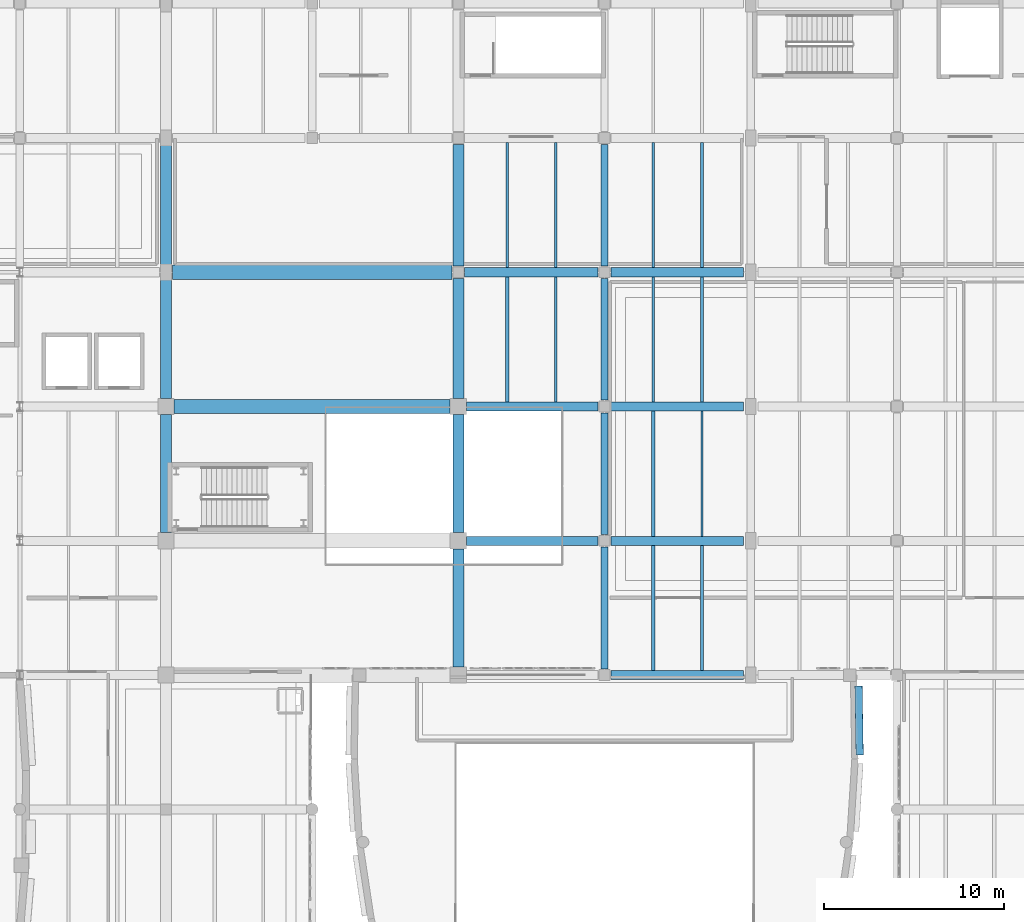
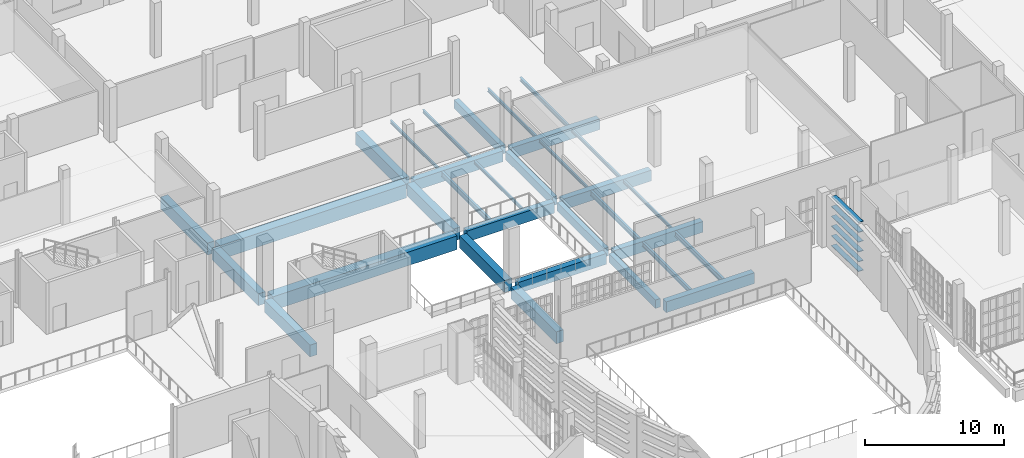
# One storey, part 40 of 104: 32 beams, 6 members.
"""IFC4 building model written with IfcOpenShell, lengths in metres."""

from ifc_helpers import new_model, si_unit, direction, frame, origin, origin_2d, place, context, subcontext, project, spatial, rectangle, hollow_rectangle, i_section, extrude, material, material_profile, profile_set, type_object, element, save


model = new_model("IFC4")

# Units and contexts
model_context = context("Model", 3, precision=1e-05, world=origin(), true_north=direction((0.0, 1.0)))
body_context = subcontext(model_context, "Body", "Model", "MODEL_VIEW")
ifc_project = project(units=[si_unit("LENGTHUNIT", "METRE"), si_unit("AREAUNIT", "SQUARE_METRE"), si_unit("VOLUMEUNIT", "CUBIC_METRE"), si_unit("PLANEANGLEUNIT", "RADIAN"), si_unit("MASSUNIT", "GRAM", prefix="KILO")], contexts=[model_context])

# Site, building, storey
site_placement = place(None, origin())
site = spatial("IfcSite", under=ifc_project, at=site_placement, CompositionType="ELEMENT")
building_placement = place(site_placement, origin())
building = spatial("IfcBuilding", under=site, at=building_placement, Name="Kaelora Sail Theatre", CompositionType="ELEMENT")
storey_placement = place(building_placement, frame((0.0, 0.0, 5.39990234375)))
storey = spatial("IfcBuildingStorey", under=building, at=storey_placement, Name="L01", CompositionType="ELEMENT", Elevation=5.39990234375)

# Members
ifc_material_1 = material(Name="Anodised aluminium 6063-T6", Category="aluminium")
ifc_material_profile_1 = material_profile(ifc_material_1, hollow_rectangle(XDim=0.419921875, YDim=0.054931640625, WallThickness=0.00390625, InnerFilletRadius=0.00390625, OuterFilletRadius=0.008056640625, at=origin_2d()), Name="LOUVRE 420x55x4")
ifc_profile_set_1 = profile_set([ifc_material_profile_1], Name="Anodised aluminium 6063-T6")
member_type = type_object("IfcMemberType", Name="ARC-MEM-LVR-420", PredefinedType="USERDEFINED", material=ifc_profile_set_1)
for number, where, z_axis, x_axis, name in (
    (1, (104.670166015625, 60.412353515625, 0.150146484375), (0.016590707442, -0.999862364742, 0.0), (0.999862364742, 0.016590707442, 0.0), "Studio Theatre Sail Drum horizontal solar louvre C1-06"),
    (2, (104.670166015625, 60.412353515625, 1.010009765625), (0.016590707442, -0.999862364742, 0.0), (0.999862364742, 0.016590707442, 0.0), "Studio Theatre Sail Drum horizontal solar louvre C1-07"),
    (3, (104.670166015625, 60.412353515625, 1.8701171875), (0.016590707442, -0.999862364742, 0.0), (0.999862364742, 0.016590707442, 0.0), "Studio Theatre Sail Drum horizontal solar louvre C1-08"),
    (4, (104.670166015625, 60.412353515625, 2.72998046875), (0.016590707442, -0.999862364742, 0.0), (0.999862364742, 0.016590707442, 0.0), "Studio Theatre Sail Drum horizontal solar louvre C1-09"),
    (5, (104.670166015625, 60.412353515625, 3.590087890625), (0.016590707442, -0.999862364742, 0.0), (0.999862364742, 0.016590707442, 0.0), "Studio Theatre Sail Drum horizontal solar louvre C1-10"),
    (6, (104.670166015625, 60.412353515625, 4.4501953125), (0.016590707442, -0.999862364742, 0.0), (0.999862364742, 0.016590707442, 0.0), "Studio Theatre Sail Drum horizontal solar louvre C1-11"),
):
    element("IfcMember", number, at=place(storey_placement, frame(where, z_axis=z_axis, x_axis=x_axis)), inside=storey, type_object=member_type, Name=name, ObjectType="LOUVRE", PredefinedType="USERDEFINED", context=body_context, shape_type="SweptSolid", body=[
        extrude(hollow_rectangle(XDim=0.419921875, YDim=0.054931640625, WallThickness=0.00390625, InnerFilletRadius=0.00390625, OuterFilletRadius=0.008056640625, at=origin_2d()), origin(), (0.0, 0.0, 1.0), 3.811279296875),
    ])

# Beams
ifc_material_2 = material(Name="Steel S355", Category="steel")
ifc_material_profile_2 = material_profile(ifc_material_2, i_section(OverallWidth=0.18994140625, OverallDepth=0.449951171875, WebThickness=0.009521484375, FlangeThickness=0.0146484375, FilletRadius=0.02099609375, at=origin_2d()), Name="IPE 450")
ifc_profile_set_2 = profile_set([ifc_material_profile_2], Name="Steel S355")
beam_type_1 = type_object("IfcBeamType", Name="STR-BM-BM-IPE450", PredefinedType="BEAM", material=ifc_profile_set_2)
beam_1_placement = place(storey_placement, frame((85.199951171875, 76.14990234375, -0.52001953125), z_axis=(0.0, 1.0, 0.0), x_axis=(-1.0, 0.0, 0.0)))
element("IfcBeam", 7, at=beam_1_placement, inside=storey, type_object=beam_type_1, Name="Secondary floor joist 11/K-1 (L01)", PredefinedType="BEAM", context=body_context, shape_type="SweptSolid", body=[
    extrude(i_section(OverallWidth=0.18994140625, OverallDepth=0.449951171875, WebThickness=0.009521484375, FlangeThickness=0.0146484375, FilletRadius=0.02099609375, at=origin_2d()), origin(), (0.0, 0.0, 1.0), 6.940185546875),
])
for number, where, z_axis, x_axis, name in (
    (8, (96.0, 61.27001953125, -0.52001953125), (0.0, 1.0, 0.0), (-1.0, 0.0, 0.0), "Secondary floor joist 12/I-2 (L01)"),
    (9, (93.300048828125, 68.7099609375, -0.52001953125), (0.0, 1.0, 0.0), (-1.0, 0.0, 0.0), "Secondary floor joist 12/J-1 (L01)"),
):
    element("IfcBeam", number, at=place(storey_placement, frame(where, z_axis=z_axis, x_axis=x_axis)), inside=storey, type_object=beam_type_1, Name=name, PredefinedType="BEAM", context=body_context, shape_type="SweptSolid", body=[
        extrude(i_section(OverallWidth=0.18994140625, OverallDepth=0.449951171875, WebThickness=0.009521484375, FlangeThickness=0.0146484375, FilletRadius=0.02099609375, at=origin_2d()), origin(), (0.0, 0.0, 1.0), 6.93994140625),
    ])
ifc_material_3 = material(Name="Concrete C40/50", Category="concrete")
ifc_material_profile_3 = material_profile(ifc_material_3, rectangle(XDim=0.39990234375, YDim=0.75, at=origin_2d()), Name="RC-BM 400x750")
ifc_profile_set_3 = profile_set([ifc_material_profile_3], Name="Concrete C40/50")
beam_type_2 = type_object("IfcBeamType", Name="STR-BM-BM-RC4075", PredefinedType="BEAM", material=ifc_profile_set_3)
for number, where, z_axis, x_axis, name in (
    (10, (90.60009765625, 61.3701171875, -0.669921875), (0.0, 1.0, 0.0), (-1.0, 0.0, 0.0), "Primary beam 12 I-J (L01)"),
    (11, (90.60009765625, 68.81005859375, -0.669921875), (0.0, 1.0, 0.0), (-1.0, 0.0, 0.0), "Primary beam 12 J-K (L01)"),
    (12, (90.60009765625, 76.25, -0.669921875), (0.0, 1.0, 0.0), (-1.0, 0.0, 0.0), "Primary beam 12 K-L (L01)"),
    (13, (90.60009765625, 83.68994140625, -0.669921875), (0.0, 1.0, 0.0), (-1.0, 0.0, 0.0), "Primary beam 12 L-M (L01)"),
):
    element("IfcBeam", number, at=place(storey_placement, frame(where, z_axis=z_axis, x_axis=x_axis)), inside=storey, type_object=beam_type_2, Name=name, PredefinedType="BEAM", context=body_context, shape_type="SweptSolid", body=[
        extrude(rectangle(XDim=0.39990234375, YDim=0.75, at=origin_2d()), origin(), (0.0, 0.0, 1.0), 6.739990234375),
    ])
ifc_material_4 = material(Name="Concrete C45/55", Category="concrete")
ifc_material_profile_4 = material_profile(ifc_material_4, rectangle(XDim=0.5, YDim=0.949951171875, at=origin_2d()), Name="RC-GRD 500x950")
ifc_profile_set_4 = profile_set([ifc_material_profile_4], Name="Concrete C45/55")
beam_type_3 = type_object("IfcBeamType", Name="STR-BM-GR-RC5095", PredefinedType="T_BEAM", material=ifc_profile_set_4)
for number, where, z_axis, x_axis, name in (
    (14, (82.949951171875, 68.4599609375, -0.77001953125), (1.0, 0.0, 0.0), (0.0, 1.0, 0.0), "Primary beam J 11-12 (L01)"),
    (15, (82.949951171875, 75.89990234375, -0.77001953125), (1.0, 0.0, 0.0), (0.0, 1.0, 0.0), "Primary beam K 11-12 (L01)"),
):
    element("IfcBeam", number, at=place(storey_placement, frame(where, z_axis=z_axis, x_axis=x_axis)), inside=storey, type_object=beam_type_3, Name=name, PredefinedType="T_BEAM", context=body_context, shape_type="SweptSolid", body=[
        extrude(rectangle(XDim=0.5, YDim=0.949951171875, at=origin_2d()), origin(), (0.0, 0.0, 1.0), 7.300048828125),
    ])
beam_2_placement = place(storey_placement, frame((82.85009765625, 83.340087890625, -0.77001953125), z_axis=(1.0, 0.0, 0.0), x_axis=(0.0, 1.0, 0.0)))
element("IfcBeam", 16, at=beam_2_placement, inside=storey, type_object=beam_type_3, Name="Primary beam L 11-12 (L01)", PredefinedType="T_BEAM", context=body_context, shape_type="SweptSolid", body=[
    extrude(rectangle(XDim=0.5, YDim=0.949951171875, at=origin_2d()), origin(), (0.0, 0.0, 1.0), 7.39990234375),
])
for number, where, z_axis, x_axis, name in (
    (17, (90.949951171875, 61.02001953125, -0.77001953125), (1.0, 0.0, 0.0), (0.0, 1.0, 0.0), "Primary beam I 12-13 (L01)"),
    (18, (90.949951171875, 68.4599609375, -0.77001953125), (1.0, 0.0, 0.0), (0.0, 1.0, 0.0), "Primary beam J 12-13 (L01)"),
    (19, (90.949951171875, 75.89990234375, -0.77001953125), (1.0, 0.0, 0.0), (0.0, 1.0, 0.0), "Primary beam K 12-13 (L01)"),
    (20, (90.949951171875, 83.340087890625, -0.77001953125), (1.0, 0.0, 0.0), (0.0, 1.0, 0.0), "Primary beam L 12-13 (L01)"),
):
    element("IfcBeam", number, at=place(storey_placement, frame(where, z_axis=z_axis, x_axis=x_axis)), inside=storey, type_object=beam_type_3, Name=name, PredefinedType="T_BEAM", context=body_context, shape_type="SweptSolid", body=[
        extrude(rectangle(XDim=0.5, YDim=0.949951171875, at=origin_2d()), origin(), (0.0, 0.0, 1.0), 7.35009765625),
    ])
ifc_material_5 = material(Name="Concrete C50/60", Category="concrete")
ifc_material_profile_5 = material_profile(ifc_material_5, rectangle(XDim=0.60009765625, YDim=1.050048828125, at=origin_2d()), Name="RC-GRD 600x1050")
ifc_profile_set_5 = profile_set([ifc_material_profile_5], Name="Concrete C50/60")
beam_type_4 = type_object("IfcBeamType", Name="STR-BM-GR-RC6105", PredefinedType="T_BEAM", material=ifc_profile_set_5)
beam_3_placement = place(storey_placement, frame((66.300048828125, 68.909912109375, -0.81982421875), z_axis=(0.0, 1.0, 0.0), x_axis=(-1.0, 0.0, 0.0)))
element("IfcBeam", 21, at=beam_3_placement, inside=storey, type_object=beam_type_4, Name="Primary beam 9 J-K (L01)", PredefinedType="T_BEAM", context=body_context, shape_type="SweptSolid", body=[
    extrude(rectangle(XDim=0.60009765625, YDim=1.050048828125, at=origin_2d()), origin(), (0.0, 0.0, 1.0), 6.5400390625),
])
beam_4_placement = place(storey_placement, frame((66.300048828125, 76.35009765625, -0.81982421875), z_axis=(0.0, 1.0, 0.0), x_axis=(-1.0, 0.0, 0.0)))
element("IfcBeam", 22, at=beam_4_placement, inside=storey, type_object=beam_type_4, Name="Primary beam 9 K-L (L01)", PredefinedType="T_BEAM", context=body_context, shape_type="SweptSolid", body=[
    extrude(rectangle(XDim=0.60009765625, YDim=1.050048828125, at=origin_2d()), origin(), (0.0, 0.0, 1.0), 6.639892578125),
])
beam_5_placement = place(storey_placement, frame((66.300048828125, 83.68994140625, -0.81982421875), z_axis=(0.0, 1.0, 0.0), x_axis=(-1.0, 0.0, 0.0)))
element("IfcBeam", 23, at=beam_5_placement, inside=storey, type_object=beam_type_4, Name="Primary beam 9 L-M (L01)", PredefinedType="T_BEAM", context=body_context, shape_type="SweptSolid", body=[
    extrude(rectangle(XDim=0.60009765625, YDim=1.050048828125, at=origin_2d()), origin(), (0.0, 0.0, 1.0), 6.739990234375),
])
for number, where, z_axis, x_axis, name in (
    (24, (82.5, 61.469970703125, -0.81982421875), (0.0, 1.0, 0.0), (-1.0, 0.0, 0.0), "Primary beam 11 I-J (L01)"),
    (25, (82.5, 68.909912109375, -0.81982421875), (0.0, 1.0, 0.0), (-1.0, 0.0, 0.0), "Primary beam 11 J-K (L01)"),
):
    element("IfcBeam", number, at=place(storey_placement, frame(where, z_axis=z_axis, x_axis=x_axis)), inside=storey, type_object=beam_type_4, Name=name, PredefinedType="T_BEAM", context=body_context, shape_type="SweptSolid", body=[
        extrude(rectangle(XDim=0.60009765625, YDim=1.050048828125, at=origin_2d()), origin(), (0.0, 0.0, 1.0), 6.5400390625),
    ])
beam_6_placement = place(storey_placement, frame((82.5, 76.35009765625, -0.81982421875), z_axis=(0.0, 1.0, 0.0), x_axis=(-1.0, 0.0, 0.0)))
element("IfcBeam", 26, at=beam_6_placement, inside=storey, type_object=beam_type_4, Name="Primary beam 11 K-L (L01)", PredefinedType="T_BEAM", context=body_context, shape_type="SweptSolid", body=[
    extrude(rectangle(XDim=0.60009765625, YDim=1.050048828125, at=origin_2d()), origin(), (0.0, 0.0, 1.0), 6.639892578125),
])
beam_7_placement = place(storey_placement, frame((82.5, 83.68994140625, -0.81982421875), z_axis=(0.0, 1.0, 0.0), x_axis=(-1.0, 0.0, 0.0)))
element("IfcBeam", 27, at=beam_7_placement, inside=storey, type_object=beam_type_4, Name="Primary beam 11 L-M (L01)", PredefinedType="T_BEAM", context=body_context, shape_type="SweptSolid", body=[
    extrude(rectangle(XDim=0.60009765625, YDim=1.050048828125, at=origin_2d()), origin(), (0.0, 0.0, 1.0), 6.739990234375),
])
ifc_material_6 = material(Name="Steel S355", Category="steel")
ifc_material_profile_6 = material_profile(ifc_material_6, i_section(OverallWidth=0.135009765625, OverallDepth=0.27001953125, WebThickness=0.006591796875, FlangeThickness=0.01025390625, FilletRadius=0.014892578125, at=origin_2d()), Name="IPE 270")
ifc_profile_set_6 = profile_set([ifc_material_profile_6], Name="Steel S355")
beam_type_5 = type_object("IfcBeamType", Name="STR-BM-JS-IPE270", PredefinedType="JOIST", material=ifc_profile_set_6)
beam_8_placement = place(storey_placement, frame((87.89990234375, 76.14990234375, -0.429931640625), z_axis=(0.0, 1.0, 0.0), x_axis=(-1.0, 0.0, 0.0)))
element("IfcBeam", 28, at=beam_8_placement, inside=storey, type_object=beam_type_5, Name="Secondary floor joist 11/K-2 (L01)", PredefinedType="JOIST", context=body_context, shape_type="SweptSolid", body=[
    extrude(i_section(OverallWidth=0.135009765625, OverallDepth=0.27001953125, WebThickness=0.006591796875, FlangeThickness=0.01025390625, FilletRadius=0.014892578125, at=origin_2d()), origin(), (0.0, 0.0, 1.0), 6.940185546875),
])
for number, where, z_axis, x_axis, name in (
    (29, (85.199951171875, 83.590087890625, -0.429931640625), (0.0, 1.0, 0.0), (-1.0, 0.0, 0.0), "Secondary floor joist 11/L-1 (L01)"),
    (30, (96.0, 68.7099609375, -0.429931640625), (0.0, 1.0, 0.0), (-1.0, 0.0, 0.0), "Secondary floor joist 12/J-2 (L01)"),
):
    element("IfcBeam", number, at=place(storey_placement, frame(where, z_axis=z_axis, x_axis=x_axis)), inside=storey, type_object=beam_type_5, Name=name, PredefinedType="JOIST", context=body_context, shape_type="SweptSolid", body=[
        extrude(i_section(OverallWidth=0.135009765625, OverallDepth=0.27001953125, WebThickness=0.006591796875, FlangeThickness=0.01025390625, FilletRadius=0.014892578125, at=origin_2d()), origin(), (0.0, 0.0, 1.0), 6.93994140625),
    ])
beam_9_placement = place(storey_placement, frame((93.300048828125, 76.14990234375, -0.429931640625), z_axis=(0.0, 1.0, 0.0), x_axis=(-1.0, 0.0, 0.0)))
element("IfcBeam", 31, at=beam_9_placement, inside=storey, type_object=beam_type_5, Name="Secondary floor joist 12/K-1 (L01)", PredefinedType="JOIST", context=body_context, shape_type="SweptSolid", body=[
    extrude(i_section(OverallWidth=0.135009765625, OverallDepth=0.27001953125, WebThickness=0.006591796875, FlangeThickness=0.01025390625, FilletRadius=0.014892578125, at=origin_2d()), origin(), (0.0, 0.0, 1.0), 6.940185546875),
])
ifc_material_7 = material(Name="Steel S355", Category="steel")
ifc_material_profile_7 = material_profile(ifc_material_7, i_section(OverallWidth=0.14990234375, OverallDepth=0.300048828125, WebThickness=0.007080078125, FlangeThickness=0.0107421875, FilletRadius=0.014892578125, at=origin_2d()), Name="IPE 300")
ifc_profile_set_7 = profile_set([ifc_material_profile_7], Name="Steel S355")
beam_type_6 = type_object("IfcBeamType", Name="STR-BM-JS-IPE300", PredefinedType="JOIST", material=ifc_profile_set_7)
beam_10_placement = place(storey_placement, frame((87.89990234375, 83.590087890625, -0.44482421875), z_axis=(0.0, 1.0, 0.0), x_axis=(-1.0, 0.0, 0.0)))
element("IfcBeam", 32, at=beam_10_placement, inside=storey, type_object=beam_type_6, Name="Secondary floor joist 11/L-2 (L01)", PredefinedType="JOIST", context=body_context, shape_type="SweptSolid", body=[
    extrude(i_section(OverallWidth=0.14990234375, OverallDepth=0.300048828125, WebThickness=0.007080078125, FlangeThickness=0.0107421875, FilletRadius=0.014892578125, at=origin_2d()), origin(), (0.0, 0.0, 1.0), 6.93994140625),
])
beam_11_placement = place(storey_placement, frame((96.0, 76.14990234375, -0.44482421875), z_axis=(0.0, 1.0, 0.0), x_axis=(-1.0, 0.0, 0.0)))
element("IfcBeam", 33, at=beam_11_placement, inside=storey, type_object=beam_type_6, Name="Secondary floor joist 12/K-2 (L01)", PredefinedType="JOIST", context=body_context, shape_type="SweptSolid", body=[
    extrude(i_section(OverallWidth=0.14990234375, OverallDepth=0.300048828125, WebThickness=0.007080078125, FlangeThickness=0.0107421875, FilletRadius=0.014892578125, at=origin_2d()), origin(), (0.0, 0.0, 1.0), 6.940185546875),
])
beam_12_placement = place(storey_placement, frame((93.300048828125, 83.590087890625, -0.44482421875), z_axis=(0.0, 1.0, 0.0), x_axis=(-1.0, 0.0, 0.0)))
element("IfcBeam", 34, at=beam_12_placement, inside=storey, type_object=beam_type_6, Name="Secondary floor joist 12/L-1 (L01)", PredefinedType="JOIST", context=body_context, shape_type="SweptSolid", body=[
    extrude(i_section(OverallWidth=0.14990234375, OverallDepth=0.300048828125, WebThickness=0.007080078125, FlangeThickness=0.0107421875, FilletRadius=0.014892578125, at=origin_2d()), origin(), (0.0, 0.0, 1.0), 6.93994140625),
])
ifc_material_8 = material(Name="Steel S355", Category="steel")
ifc_material_profile_8 = material_profile(ifc_material_8, i_section(OverallWidth=0.159912109375, OverallDepth=0.330078125, WebThickness=0.007568359375, FlangeThickness=0.011474609375, FilletRadius=0.01806640625, at=origin_2d()), Name="IPE 330")
ifc_profile_set_8 = profile_set([ifc_material_profile_8], Name="Steel S355")
beam_type_7 = type_object("IfcBeamType", Name="STR-BM-JS-IPE330", PredefinedType="JOIST", material=ifc_profile_set_8)
beam_13_placement = place(storey_placement, frame((96.0, 83.590087890625, -0.4599609375), z_axis=(0.0, 1.0, 0.0), x_axis=(-1.0, 0.0, 0.0)))
element("IfcBeam", 35, at=beam_13_placement, inside=storey, type_object=beam_type_7, Name="Secondary floor joist 12/L-2 (L01)", PredefinedType="JOIST", context=body_context, shape_type="SweptSolid", body=[
    extrude(i_section(OverallWidth=0.159912109375, OverallDepth=0.330078125, WebThickness=0.007568359375, FlangeThickness=0.011474609375, FilletRadius=0.01806640625, at=origin_2d()), origin(), (0.0, 0.0, 1.0), 6.93994140625),
])
ifc_material_9 = material(Name="Steel S355", Category="steel")
ifc_material_profile_9 = material_profile(ifc_material_9, i_section(OverallWidth=0.179931640625, OverallDepth=0.39990234375, WebThickness=0.008544921875, FlangeThickness=0.013427734375, FilletRadius=0.02099609375, at=origin_2d()), Name="IPE 400")
ifc_profile_set_9 = profile_set([ifc_material_profile_9], Name="Steel S355")
beam_type_8 = type_object("IfcBeamType", Name="STR-BM-JS-IPE400", PredefinedType="JOIST", material=ifc_profile_set_9)
beam_14_placement = place(storey_placement, frame((93.300048828125, 61.27001953125, -0.494873046875), z_axis=(0.0, 1.0, 0.0), x_axis=(-1.0, 0.0, 0.0)))
element("IfcBeam", 36, at=beam_14_placement, inside=storey, type_object=beam_type_8, Name="Secondary floor joist 12/I-1 (L01)", PredefinedType="JOIST", context=body_context, shape_type="SweptSolid", body=[
    extrude(i_section(OverallWidth=0.179931640625, OverallDepth=0.39990234375, WebThickness=0.008544921875, FlangeThickness=0.013427734375, FilletRadius=0.02099609375, at=origin_2d()), origin(), (0.0, 0.0, 1.0), 6.93994140625),
])
ifc_material_10 = material(Name="Concrete C50/60", Category="concrete")
ifc_material_profile_10 = material_profile(ifc_material_10, rectangle(XDim=0.800048828125, YDim=1.199951171875, at=origin_2d()), Name="RC-SRB 800x1200")
ifc_profile_set_10 = profile_set([ifc_material_profile_10], Name="Concrete C50/60")
beam_type_9 = type_object("IfcBeamType", Name="STR-BM-SRB-8012", PredefinedType="T_BEAM", material=ifc_profile_set_10)
beam_15_placement = place(storey_placement, frame((66.75, 75.89990234375, -0.89501953125), z_axis=(1.0, 0.0, 0.0), x_axis=(0.0, 1.0, 0.0)))
element("IfcBeam", 37, at=beam_15_placement, inside=storey, type_object=beam_type_9, Name="Grand Foyer clear-span girder L01-K", PredefinedType="T_BEAM", context=body_context, shape_type="SweptSolid", body=[
    extrude(rectangle(XDim=0.800048828125, YDim=1.199951171875, at=origin_2d()), origin(), (0.0, 0.0, 1.0), 15.300048828125),
])
beam_16_placement = place(storey_placement, frame((66.64990234375, 83.340087890625, -0.89501953125), z_axis=(1.0, 0.0, 0.0), x_axis=(0.0, 1.0, 0.0)))
element("IfcBeam", 38, at=beam_16_placement, inside=storey, type_object=beam_type_9, Name="Grand Foyer clear-span girder L01-L", PredefinedType="T_BEAM", context=body_context, shape_type="SweptSolid", body=[
    extrude(rectangle(XDim=0.800048828125, YDim=1.199951171875, at=origin_2d()), origin(), (0.0, 0.0, 1.0), 15.5),
])

save(model, "model.ifc")
